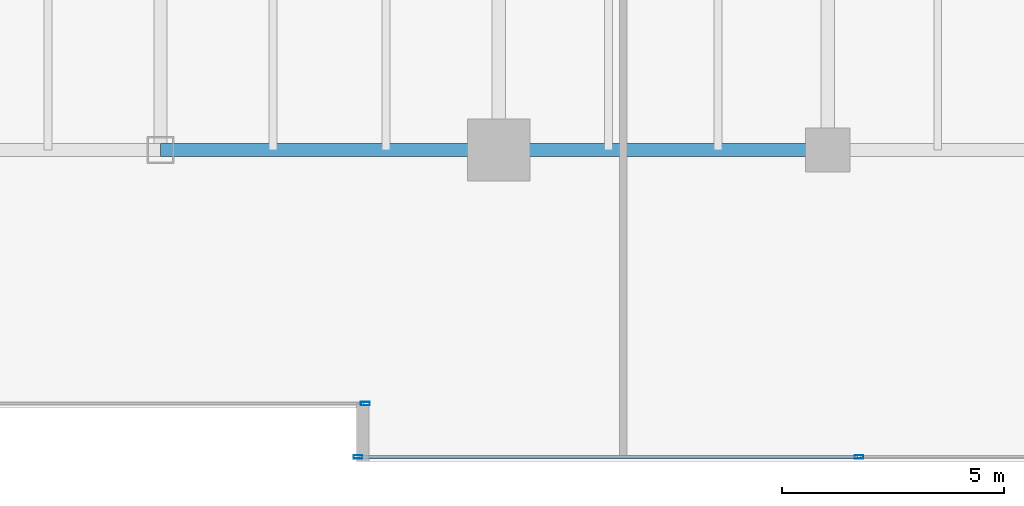
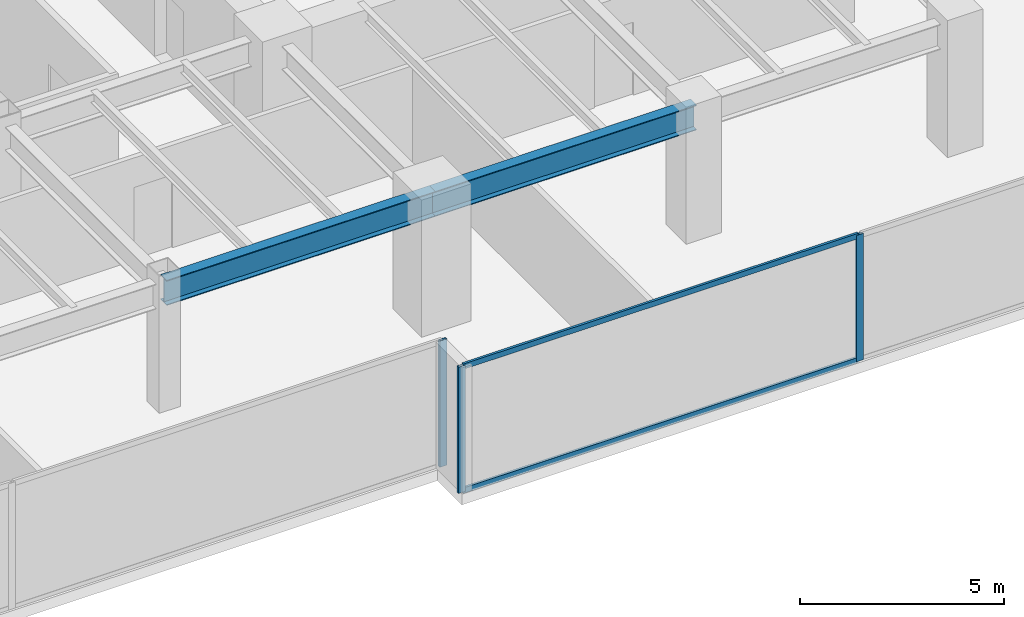
# One storey, part 10 of 35: 5 members, 2 beams, 2 elements without a shape of their own.
"""IFC4 building model written with IfcOpenShell, lengths in metres."""

from ifc_helpers import new_model, si_unit, direction, frame, origin, origin_2d, place, context, subcontext, project, spatial, hollow_rectangle, i_section, extrude, source, transform, mapped, material, layer, layer_set, material_profile, profile_set, type_object, type_shapes, element, aggregate, save


model = new_model("IFC4")

# Units and contexts
model_context = context("Model", 3, precision=1e-05, world=origin(), true_north=direction((0.0, 1.0)))
body_context = subcontext(model_context, "Body", "Model", "MODEL_VIEW")
ifc_project = project(units=[si_unit("LENGTHUNIT", "METRE"), si_unit("AREAUNIT", "SQUARE_METRE"), si_unit("VOLUMEUNIT", "CUBIC_METRE"), si_unit("PLANEANGLEUNIT", "RADIAN"), si_unit("MASSUNIT", "GRAM", prefix="KILO")], contexts=[model_context])

# Site, building, storey
site_placement = place(None, origin())
site = spatial("IfcSite", under=ifc_project, at=site_placement, CompositionType="ELEMENT")
building_placement = place(site_placement, origin())
building = spatial("IfcBuilding", under=site, at=building_placement, Name="Haelvirn Gate Laboratories", CompositionType="ELEMENT")
storey_placement = place(building_placement, frame((0.0, 0.0, 45.699951171875)))
storey = spatial("IfcBuildingStorey", under=building, at=storey_placement, Name="L11", CompositionType="ELEMENT", Elevation=45.699951171875)

# Beams
ifc_material_1 = material(Name="Steel SM355", Category="steel")
ifc_material_profile_1 = material_profile(ifc_material_1, i_section(OverallWidth=0.300048828125, OverallDepth=0.75, WebThickness=0.013916015625, FlangeThickness=0.02392578125, at=origin_2d()), Name="H-750x300x14x24")
ifc_profile_set_1 = profile_set([ifc_material_profile_1], Name="Steel SM355")
beam_type = type_object("IfcBeamType", Name="BM-G-750", PredefinedType="BEAM", material=ifc_profile_set_1)
shared_shape_1 = source(origin(), body_context, "Body", "SweptSolid", [
    extrude(i_section(OverallWidth=0.300048828125, OverallDepth=0.75, WebThickness=0.013916015625, FlangeThickness=0.02392578125, at=origin_2d()), origin(), (0.0, 0.0, 1.0), 7.39990234375),
])
beam_1_placement = place(storey_placement, frame((52.60009765625, 7.0, 3.405029296875), z_axis=(1.0, 0.0, 0.0), x_axis=(0.0, 1.0, 0.0)))
element("IfcBeam", 1, at=beam_1_placement, inside=storey, type_object=beam_type, Name="L11 Primary Girder Y7.0 (52.6-60.0)", PredefinedType="BEAM", context=body_context, shape_type="MappedRepresentation", body=[
    mapped(shared_shape_1, transform((0.0, 0.0, 0.0), scale=1.0)),
])
shared_shape_2 = source(origin(), body_context, "Body", "SweptSolid", [
    extrude(i_section(OverallWidth=0.300048828125, OverallDepth=0.75, WebThickness=0.013916015625, FlangeThickness=0.02392578125, at=origin_2d()), origin(), (0.0, 0.0, 1.0), 7.60009765625),
])
type_shapes(beam_type, [shared_shape_1, shared_shape_2])
beam_2_placement = place(storey_placement, frame((45.0, 7.0, 3.405029296875), z_axis=(1.0, 0.0, 0.0), x_axis=(0.0, 1.0, 0.0)))
element("IfcBeam", 2, at=beam_2_placement, inside=storey, type_object=beam_type, Name="L11 Primary Girder Y7.0 (45.0-52.6)", PredefinedType="BEAM", context=body_context, shape_type="MappedRepresentation", body=[
    mapped(shared_shape_2, transform((0.0, 0.0, 0.0), scale=1.0)),
])

# Curtain wall, member
ifc_material_2 = material(Name="Anodised bronze unitised aluminium & triple low-E glass", Category="aluminium")
ifc_layer = layer(ifc_material_2, 0.18408203125, Name="CW-SYS-2")
ifc_layer_set = layer_set([ifc_layer], Name="Anodised bronze unitised aluminium & triple low-E glass")
curtain_wall_type = type_object("IfcCurtainWallType", Name="CW-SYS-2", PredefinedType="NOTDEFINED", material=ifc_layer_set)
curtain_wall_1_placement = place(storey_placement, origin())
curtain_wall_1 = element("IfcCurtainWall", 3, at=curtain_wall_1_placement, inside=storey, type_object=curtain_wall_type, Name="L11 Unitised Curtain Wall CW-L11-P0-E02-1", PredefinedType="NOTDEFINED")
ifc_material_3 = material(Name="Extruded aluminium 6063-T6 (anodised bronze)", Category="aluminium")
ifc_material_profile_2 = material_profile(ifc_material_3, hollow_rectangle(XDim=0.074951171875, YDim=0.199951171875, WallThickness=0.0048828125, at=origin_2d()), Name="CWM-200x75x5")
ifc_profile_set_2 = profile_set([ifc_material_profile_2], Name="Extruded aluminium 6063-T6 (anodised bronze)")
member_type_1 = type_object("IfcMemberType", Name="CWM-T200", PredefinedType="MULLION", material=ifc_profile_set_2)
shared_shape_3 = source(origin(), body_context, "Body", "SweptSolid", [
    extrude(hollow_rectangle(XDim=0.074951171875, YDim=0.199951171875, WallThickness=0.0048828125, at=origin_2d()), origin(), (0.0, 0.0, 1.0), 3.780029296875),
])
type_shapes(member_type_1, [shared_shape_3])
member_1_placement = place(storey_placement, frame((49.6025390625, 1.300048828125, 0.0), z_axis=(0.0, 0.0, 1.0), x_axis=(0.0, 1.0, 0.0)))
member_1 = element("IfcMember", 4, at=member_1_placement, type_object=member_type_1, Name="CW2 mullion 3", PredefinedType="MULLION", context=body_context, shape_type="MappedRepresentation", body=[
    mapped(shared_shape_3, transform((0.0, 0.0, 0.0), scale=1.0)),
])
aggregate(curtain_wall_1, [member_1])

# Curtain wall, members
curtain_wall_2_placement = place(storey_placement, origin())
curtain_wall_2 = element("IfcCurtainWall", 5, at=curtain_wall_2_placement, inside=storey, type_object=curtain_wall_type, Name="L11 Unitised Curtain Wall CW-L11-P0-E04-1", PredefinedType="NOTDEFINED")
member_2_placement = place(storey_placement, frame((49.4375, 0.10009765625, 0.0), z_axis=(0.0, 0.0, 1.0), x_axis=(0.0, 1.0, 0.0)))
member_2 = element("IfcMember", 6, at=member_2_placement, type_object=member_type_1, Name="CW2 mullion 1", PredefinedType="MULLION", context=body_context, shape_type="MappedRepresentation", body=[
    mapped(shared_shape_3, transform((0.0, 0.0, 0.0), scale=1.0)),
])
member_3_placement = place(storey_placement, frame((60.699951171875, 0.10009765625, 0.0), z_axis=(0.0, 0.0, 1.0), x_axis=(0.0, 1.0, 0.0)))
member_3 = element("IfcMember", 7, at=member_3_placement, type_object=member_type_1, Name="CW2 mullion 2", PredefinedType="MULLION", context=body_context, shape_type="MappedRepresentation", body=[
    mapped(shared_shape_3, transform((0.0, 0.0, 0.0), scale=1.0)),
])
ifc_material_profile_3 = material_profile(ifc_material_3, hollow_rectangle(XDim=0.070068359375, YDim=0.159912109375, WallThickness=0.0048828125, at=origin_2d()), Name="CWT-160x70x5")
ifc_profile_set_3 = profile_set([ifc_material_profile_3], Name="Extruded aluminium 6063-T6 (anodised bronze)")
member_type_2 = type_object("IfcMemberType", Name="CWT-T160", PredefinedType="USERDEFINED", material=ifc_profile_set_3)
shared_shape_4 = source(origin(), body_context, "Body", "SweptSolid", [
    extrude(hollow_rectangle(XDim=0.070068359375, YDim=0.159912109375, WallThickness=0.0048828125, at=origin_2d()), origin(), (0.0, 0.0, 1.0), 11.1875),
])
type_shapes(member_type_2, [shared_shape_4])
member_4_placement = place(storey_placement, frame((49.47509765625, 0.10009765625, 0.03515625), z_axis=(1.0, 0.0, 0.0), x_axis=(0.0, 1.0, 0.0)))
member_4 = element("IfcMember", 8, at=member_4_placement, type_object=member_type_2, Name="CW2 transom 1.1", ObjectType="TRANSOM", PredefinedType="USERDEFINED", context=body_context, shape_type="MappedRepresentation", body=[
    mapped(shared_shape_4, transform((0.0, 0.0, 0.0), scale=1.0)),
])
member_5_placement = place(storey_placement, frame((49.47509765625, 0.10009765625, 3.7451171875), z_axis=(1.0, 0.0, 0.0), x_axis=(0.0, 1.0, 0.0)))
member_5 = element("IfcMember", 9, at=member_5_placement, type_object=member_type_2, Name="CW2 transom 1.2", ObjectType="TRANSOM", PredefinedType="USERDEFINED", context=body_context, shape_type="MappedRepresentation", body=[
    mapped(shared_shape_4, transform((0.0, 0.0, 0.0), scale=1.0)),
])
aggregate(curtain_wall_2, [member_2, member_3, member_4, member_5])

save(model, "model.ifc")
